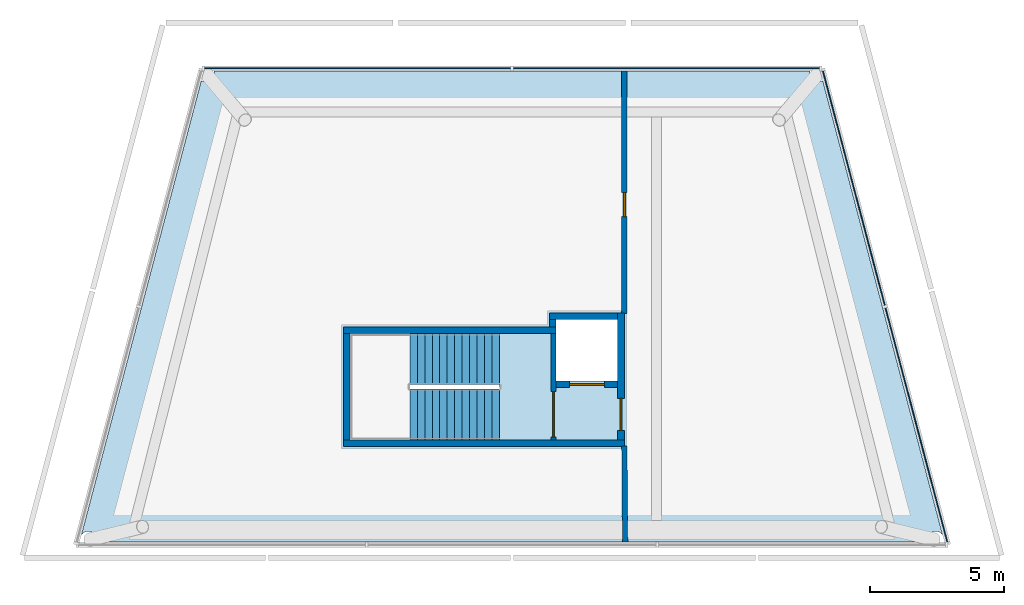
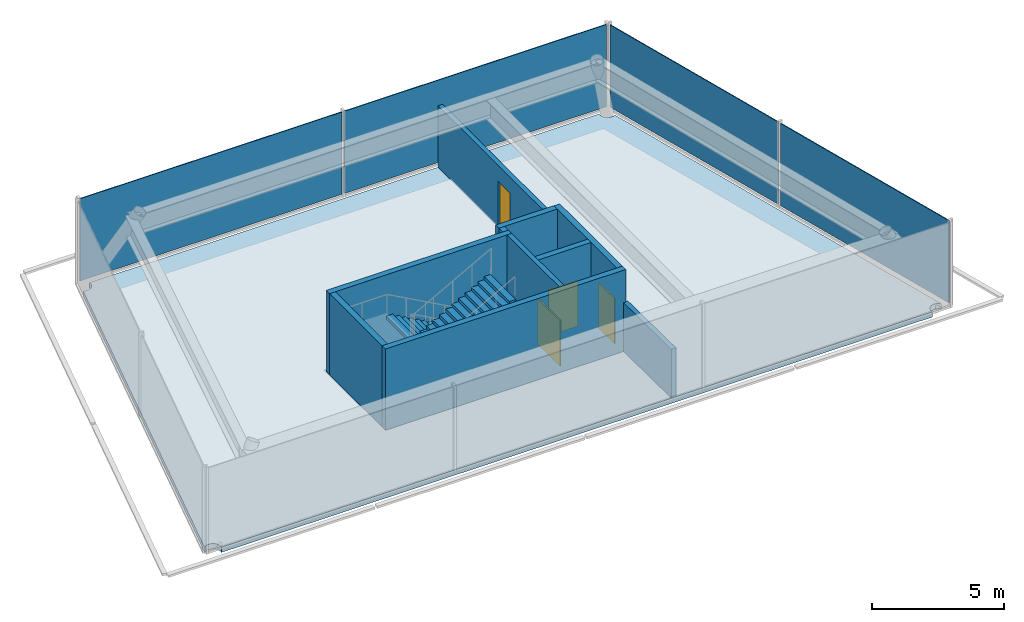
# One storey, part 2 of 3: 10 walls, 4 doors, 4 plates, 2 stair flights, 1 slab, 4 openings, 3 elements without a shape of their own.
"""IFC4 building model written with IfcOpenShell, lengths in metres."""

from ifc_helpers import new_model, si_unit, direction, frame, frame_2d, origin, origin_2d, place, context, subcontext, project, spatial, polyline, rectangle, outline, extrude, material, layer, layer_set, type_object, element, fill, aggregate, save


model = new_model("IFC4")

# Units and contexts
model_context = context("Model", 3, precision=1e-05, world=origin(), true_north=direction((0.0, 1.0)))
body_context = subcontext(model_context, "Body", "Model", "MODEL_VIEW")
ifc_project = project(units=[si_unit("LENGTHUNIT", "METRE"), si_unit("AREAUNIT", "SQUARE_METRE"), si_unit("VOLUMEUNIT", "CUBIC_METRE"), si_unit("PLANEANGLEUNIT", "RADIAN"), si_unit("MASSUNIT", "GRAM", prefix="KILO")], contexts=[model_context])

# Site, building, storey
site_placement = place(None, origin())
site = spatial("IfcSite", under=ifc_project, at=site_placement, CompositionType="ELEMENT")
building_placement = place(site_placement, origin())
building = spatial("IfcBuilding", under=site, at=building_placement, Name="Quipu Civic Tower", CompositionType="ELEMENT")
storey_placement = place(building_placement, frame((0.0, 0.0, 372.0)))
storey = spatial("IfcBuildingStorey", under=building, at=storey_placement, Name="L86", CompositionType="ELEMENT", Elevation=372.0)

# Slab
ifc_material_1 = material(Name="Concrete C40/50", Category="concrete")
ifc_layer_1 = layer(ifc_material_1, 0.25)
ifc_layer_set_1 = layer_set([ifc_layer_1], Name="Concrete C40/50")
slab_type = type_object("IfcSlabType", Name="Crown floor slab 250 C40/50", PredefinedType="FLOOR", material=ifc_layer_set_1)
slab_placement = place(storey_placement, frame((0.0, 0.0, -0.25)))
element("IfcSlab", 1, at=slab_placement, inside=storey, type_object=slab_type, Name="Crown floor slab L86", PredefinedType="FLOOR", context=body_context, shape_type="SweptSolid", body=[
    extrude(outline(polyline([(-15.52490234375, -10.02001953125), (-15.514892578125, -9.93994140625), (-15.530029296875, -9.85009765625), (-15.554931640625, -9.7900390625), (-15.610107421875, -9.715087890625), (-15.659912109375, -9.675048828125), (-15.715087890625, -9.64501953125), (-15.804931640625, -9.6201171875), (-15.89990234375, -9.625), (-15.9599609375, -9.64501953125), (-16.014892578125, -9.675048828125), (-16.06494140625, -9.715087890625), (-16.090087890625, -9.75), (-11.610107421875, 7.22509765625), (-11.570068359375, 7.199951171875), (-11.5400390625, 7.18994140625), (-11.445068359375, 7.175048828125), (-11.35498046875, 7.18994140625), (-11.27001953125, 7.22998046875), (-11.219970703125, 7.27001953125), (-11.179931640625, 7.320068359375), (-11.14990234375, 7.375), (-11.1298828125, 7.43505859375), (-11.125, 7.4951171875), (-11.1298828125, 7.56005859375), (-11.139892578125, 7.580078125), (11.139892578125, 7.580078125), (11.1298828125, 7.56005859375), (11.125, 7.4951171875), (11.1298828125, 7.43505859375), (11.14990234375, 7.375), (11.179931640625, 7.320068359375), (11.219970703125, 7.27001953125), (11.27001953125, 7.22998046875), (11.35498046875, 7.18994140625), (11.445068359375, 7.175048828125), (11.5400390625, 7.18994140625), (11.570068359375, 7.199951171875), (11.610107421875, 7.22509765625), (16.090087890625, -9.75), (16.06494140625, -9.715087890625), (16.014892578125, -9.675048828125), (15.9599609375, -9.64501953125), (15.89990234375, -9.625), (15.804931640625, -9.6201171875), (15.715087890625, -9.64501953125), (15.659912109375, -9.675048828125), (15.610107421875, -9.715087890625), (15.554931640625, -9.7900390625), (15.530029296875, -9.85009765625), (15.514892578125, -9.93994140625), (15.52490234375, -10.02001953125), (-15.52490234375, -10.02001953125)]), holes=[polyline([(-6.044921875, -2.235107421875), (-6.044921875, -6.195068359375), (-0.465087890625, -6.195068359375), (-0.465087890625, -2.235107421875), (-6.044921875, -2.235107421875)]), polyline([(3.949951171875, -1.699951171875), (1.64990234375, -1.699951171875), (1.64990234375, -4.0), (3.949951171875, -4.0), (3.949951171875, -1.699951171875)])]), origin(), (0.0, 0.0, 1.0), 0.25),
])

# Curtain wall, plates
ifc_material_2 = material(Name="Insulated glass unit", Category="glass")
curtain_wall_type_1 = type_object("IfcCurtainWallType", Name="Crown glass facets CW6", PredefinedType="NOTDEFINED", material=ifc_material_2)
curtain_wall_1_placement = place(storey_placement, origin())
curtain_wall_1 = element("IfcCurtainWall", 2, at=curtain_wall_1_placement, inside=storey, type_object=curtain_wall_type_1, Name="Crown glass facets CW6 L86 run 3", PredefinedType="NOTDEFINED")
ifc_material_3 = material(Name="Insulated glass unit", Category="glass")
ifc_layer_2 = layer(ifc_material_3, 0.0400390625)
ifc_layer_set_2 = layer_set([ifc_layer_2], Name="Insulated glass unit")
plate_type_1 = type_object("IfcPlateType", Name="Glass panel CW6", PredefinedType="CURTAIN_PANEL", material=ifc_layer_set_2)
plate_1_placement = place(storey_placement, frame((5.771484375, 7.679931640625, 0.14990234375), z_axis=(0.0, 0.0, 1.0), x_axis=(-1.0, 0.0, 0.0)))
plate_1 = element("IfcPlate", 3, at=plate_1_placement, type_object=plate_type_1, Name="CW6 panel 1.1", PredefinedType="CURTAIN_PANEL", context=body_context, shape_type="SweptSolid", body=[
    extrude(rectangle(XDim=11.443115234375, YDim=0.0400390625, at=origin_2d()), origin(), (0.0, 0.0, 1.0), 3.800048828125),
])
plate_2_placement = place(storey_placement, frame((-5.771484375, 7.679931640625, 0.14990234375), z_axis=(0.0, 0.0, 1.0), x_axis=(-1.0, 0.0, 0.0)))
plate_2 = element("IfcPlate", 4, at=plate_2_placement, type_object=plate_type_1, Name="CW6 panel 2.1", PredefinedType="CURTAIN_PANEL", context=body_context, shape_type="SweptSolid", body=[
    extrude(rectangle(XDim=11.443115234375, YDim=0.0400390625, at=origin_2d()), origin(), (0.0, 0.0, 1.0), 3.800048828125),
])
aggregate(curtain_wall_1, [plate_1, plate_2])

ifc_material_4 = material(Name="Anodised aluminium insulated panel", Category="aluminium")
curtain_wall_type_2 = type_object("IfcCurtainWallType", Name="Insulated infill wall CW6I", PredefinedType="NOTDEFINED", material=ifc_material_4)
curtain_wall_2_placement = place(storey_placement, origin())
curtain_wall_2 = element("IfcCurtainWall", 5, at=curtain_wall_2_placement, inside=storey, type_object=curtain_wall_type_2, Name="Insulated infill wall CW6I L86 run 2", PredefinedType="NOTDEFINED")
ifc_material_5 = material(Name="Anodised aluminium insulated panel", Category="aluminium")
ifc_layer_3 = layer(ifc_material_5, 0.0400390625)
ifc_layer_set_3 = layer_set([ifc_layer_3], Name="Anodised aluminium insulated panel")
plate_type_2 = type_object("IfcPlateType", Name="Insulated panel CW6I", PredefinedType="CURTAIN_PANEL", material=ifc_layer_set_3)
plate_3_placement = place(storey_placement, frame((15.112060546875, -5.645751953125, 0.14990234375), z_axis=(0.0, 0.0, 1.0), x_axis=(-0.255315630187, 0.966857760471, 0.0)))
plate_3 = element("IfcPlate", 6, at=plate_3_placement, type_object=plate_type_2, Name="CW6I panel 1.1", PredefinedType="CURTAIN_PANEL", context=body_context, shape_type="SweptSolid", body=[
    extrude(rectangle(XDim=9.05517578125, YDim=0.0400390625, at=origin_2d()), origin(), (0.0, 0.0, 1.0), 3.800048828125),
])
plate_4_placement = place(storey_placement, frame((12.774658203125, 3.205810546875, 0.14990234375), z_axis=(0.0, 0.0, 1.0), x_axis=(-0.255315630187, 0.966857760471, 0.0)))
plate_4 = element("IfcPlate", 7, at=plate_4_placement, type_object=plate_type_2, Name="CW6I panel 2.1", PredefinedType="CURTAIN_PANEL", context=body_context, shape_type="SweptSolid", body=[
    extrude(rectangle(XDim=9.05517578125, YDim=0.0400390625, at=origin_2d()), origin(), (0.0, 0.0, 1.0), 3.800048828125),
])
aggregate(curtain_wall_2, [plate_3, plate_4])

# Wall, opening, door
ifc_material_6 = material(Name="Fired clay blockwork", Category="masonry")
ifc_layer_4 = layer(ifc_material_6, 0.199951171875)
ifc_layer_set_4 = layer_set([ifc_layer_4], Name="Fired clay blockwork")
wall_type_1 = type_object("IfcWallType", Name="Blockwork wall 200", PredefinedType="SOLIDWALL", material=ifc_layer_set_4)
wall_1_placement = place(storey_placement, frame((4.199951171875, 7.580078125, 0.0), z_axis=(0.0, 0.0, 1.0), x_axis=(0.0, -1.0, 0.0)))
wall_1 = element("IfcWall", 8, at=wall_1_placement, inside=storey, type_object=wall_type_1, Name="Partition P01", PredefinedType="SOLIDWALL", context=body_context, shape_type="SweptSolid", body=[
    extrude(rectangle(XDim=9.050048828125, YDim=0.199951171875, at=frame_2d((4.52490234375, 0.0))), origin(), (0.0, 0.0, 1.0), 2.838134765625),
])
opening_1_placement = place(wall_1_placement, frame((4.5400390625, 0.0, 0.0)))
opening_1 = element("IfcOpeningElement", 9, at=opening_1_placement, cuts=wall_1, Name="Opening D001", PredefinedType="OPENING", context=body_context, shape_type="SweptSolid", body=[
    extrude(rectangle(XDim=0.89990234375, YDim=2.10009765625, at=frame_2d((0.449951171875, 1.050048828125))), frame((0.0, 0.10986328125, 0.0), z_axis=(0.0, -1.0, 0.0), x_axis=(1.0, 0.0, 0.0)), (0.0, 0.0, 1.0), 0.219970703125),
])
ifc_material_7 = material(Name="Fire rated timber door set with metal frame", Category="wood")
door_type_1 = type_object("IfcDoorType", Name="Single door 900 x 2100 FD60", OperationType="NOTDEFINED", PredefinedType="DOOR", material=ifc_material_7)
door_1_placement = place(opening_1_placement, origin())
door_1 = element("IfcDoor", 10, at=door_1_placement, inside=storey, type_object=door_type_1, Name="Door D001", OperationType="SINGLE_SWING_LEFT", OverallHeight=2.10009765625, OverallWidth=0.89990234375, PredefinedType="DOOR", context=body_context, shape_type="SweptSolid", body=[
    extrude(rectangle(XDim=0.89990234375, YDim=2.10009765625, at=frame_2d((0.449951171875, 1.050048828125))), frame((0.0, 0.02490234375, 0.0), z_axis=(0.0, -1.0, 0.0), x_axis=(1.0, 0.0, 0.0)), (0.0, 0.0, 1.0), 0.050048828125),
])
fill(opening_1, door_1)

# Wall
wall_2_placement = place(storey_placement, frame((4.199951171875, -6.429931640625, 0.0), z_axis=(0.0, 0.0, 1.0), x_axis=(0.007480239544, -0.999972022617, 0.0)))
element("IfcWall", 11, at=wall_2_placement, inside=storey, type_object=wall_type_1, Name="Partition P02", PredefinedType="SOLIDWALL", context=body_context, shape_type="SweptSolid", body=[
    extrude(rectangle(XDim=3.590087890625, YDim=0.199951171875, at=frame_2d((1.794921875, 0.0))), origin(), (0.0, 0.0, 1.0), 2.25),
])

# Wall, opening, door
ifc_material_8 = material(Name="Concrete C70/85", Category="concrete")
ifc_layer_5 = layer(ifc_material_8, 0.199951171875)
ifc_layer_set_5 = layer_set([ifc_layer_5], Name="Concrete C70/85")
wall_type_2 = type_object("IfcWallType", Name="Core wall 200", PredefinedType="SHEAR", material=ifc_layer_set_5)
wall_3_placement = place(storey_placement, frame((1.550048828125, -6.199951171875, 0.0), z_axis=(0.0, 0.0, 1.0), x_axis=(0.0, 1.0, 0.0)))
wall_3 = element("IfcWall", 12, at=wall_3_placement, inside=storey, type_object=wall_type_2, Name="Core wall", PredefinedType="SHEAR", context=body_context, shape_type="SweptSolid", body=[
    extrude(rectangle(XDim=3.969970703125, YDim=0.199951171875, at=frame_2d((1.98486328125, 0.0))), origin(), (0.0, 0.0, 1.0), 3.75),
])
opening_2_placement = place(wall_3_placement, frame((0.10009765625, 0.0, 0.0)))
opening_2 = element("IfcOpeningElement", 13, at=opening_2_placement, cuts=wall_3, Name="Opening CD-01", PredefinedType="OPENING", context=body_context, shape_type="SweptSolid", body=[
    extrude(rectangle(XDim=1.699951171875, YDim=2.10009765625, at=frame_2d((0.85009765625, 1.050048828125))), frame((0.0, 0.10986328125, 0.0), z_axis=(0.0, -1.0, 0.0), x_axis=(1.0, 0.0, 0.0)), (0.0, 0.0, 1.0), 0.219970703125),
])
ifc_material_9 = material(Name="Fire rated steel door", Category="steel")
door_type_2 = type_object("IfcDoorType", Name="Fire door FD90 double 1700 x 2100", OperationType="NOTDEFINED", PredefinedType="DOOR", material=ifc_material_9)
door_2_placement = place(opening_2_placement, origin())
door_2 = element("IfcDoor", 14, at=door_2_placement, inside=storey, type_object=door_type_2, Name="Door", OperationType="DOUBLE_DOOR_SINGLE_SWING", OverallHeight=2.10009765625, OverallWidth=1.699951171875, PredefinedType="DOOR", context=body_context, shape_type="SweptSolid", body=[
    extrude(rectangle(XDim=1.699951171875, YDim=2.10009765625, at=frame_2d((0.85009765625, 1.050048828125))), frame((0.0, 0.02490234375, 0.0), z_axis=(0.0, -1.0, 0.0), x_axis=(1.0, 0.0, 0.0)), (0.0, 0.0, 1.0), 0.050048828125),
])
fill(opening_2, door_2)

# Walls
ifc_material_10 = material(Name="Concrete C70/85", Category="concrete")
ifc_layer_6 = layer(ifc_material_10, 0.25)
ifc_layer_set_6 = layer_set([ifc_layer_6], Name="Concrete C70/85")
wall_type_3 = type_object("IfcWallType", Name="Core wall 250", PredefinedType="SHEAR", material=ifc_layer_set_6)
wall_4_placement = place(storey_placement, frame((-6.300048828125, -6.324951171875, 0.0), z_axis=(0.0, 0.0, 1.0), x_axis=(1.0, 0.0, 0.0)))
element("IfcWall", 15, at=wall_4_placement, inside=storey, type_object=wall_type_3, Name="Core wall", PredefinedType="SHEAR", context=body_context, shape_type="SweptSolid", body=[
    extrude(rectangle(XDim=10.5, YDim=0.25, at=frame_2d((5.25, 0.0))), origin(), (0.0, 0.0, 1.0), 3.75),
])
wall_5_placement = place(storey_placement, frame((-6.175048828125, -6.199951171875, 0.0), z_axis=(0.0, 0.0, 1.0), x_axis=(0.0, 1.0, 0.0)))
element("IfcWall", 16, at=wall_5_placement, inside=storey, type_object=wall_type_3, Name="Core wall", PredefinedType="SHEAR", context=body_context, shape_type="SweptSolid", body=[
    extrude(rectangle(XDim=3.969970703125, YDim=0.25, at=frame_2d((1.98486328125, 0.0))), origin(), (0.0, 0.0, 1.0), 3.75),
])

# Wall, opening, door
wall_6_placement = place(storey_placement, frame((4.074951171875, -6.199951171875, 0.0), z_axis=(0.0, 0.0, 1.0), x_axis=(0.0, 1.0, 0.0)))
wall_6 = element("IfcWall", 17, at=wall_6_placement, inside=storey, type_object=wall_type_3, Name="Core wall", PredefinedType="SHEAR", context=body_context, shape_type="SweptSolid", body=[
    extrude(rectangle(XDim=4.75, YDim=0.25, at=frame_2d((2.375, 0.0))), origin(), (0.0, 0.0, 1.0), 3.75),
])
opening_3_placement = place(wall_6_placement, frame((0.35009765625, 0.0, 0.0)))
opening_3 = element("IfcOpeningElement", 18, at=opening_3_placement, cuts=wall_6, Name="Opening CD-02", PredefinedType="OPENING", context=body_context, shape_type="SweptSolid", body=[
    extrude(rectangle(XDim=1.199951171875, YDim=2.10009765625, at=frame_2d((0.60009765625, 1.050048828125))), frame((0.0, 0.135009765625, 0.0), z_axis=(0.0, -1.0, 0.0), x_axis=(1.0, 0.0, 0.0)), (0.0, 0.0, 1.0), 0.27001953125),
])
ifc_material_11 = material(Name="Fire rated steel door", Category="steel")
door_type_3 = type_object("IfcDoorType", Name="Fire door FD90 1200 x 2100", OperationType="NOTDEFINED", PredefinedType="DOOR", material=ifc_material_11)
door_3_placement = place(opening_3_placement, origin())
door_3 = element("IfcDoor", 19, at=door_3_placement, inside=storey, type_object=door_type_3, Name="Lobby door", OperationType="SINGLE_SWING_LEFT", OverallHeight=2.10009765625, OverallWidth=1.199951171875, PredefinedType="DOOR", context=body_context, shape_type="SweptSolid", body=[
    extrude(rectangle(XDim=1.199951171875, YDim=2.10009765625, at=frame_2d((0.60009765625, 1.050048828125))), frame((0.0, 0.02490234375, 0.0), z_axis=(0.0, -1.0, 0.0), x_axis=(1.0, 0.0, 0.0)), (0.0, 0.0, 1.0), 0.050048828125),
])
fill(opening_3, door_3)

wall_7_placement = place(storey_placement, frame((1.64990234375, -4.125, 0.0), z_axis=(0.0, 0.0, 1.0), x_axis=(1.0, 0.0, 0.0)))
wall_7 = element("IfcWall", 20, at=wall_7_placement, inside=storey, type_object=wall_type_3, Name="Core wall", PredefinedType="SHEAR", context=body_context, shape_type="SweptSolid", body=[
    extrude(rectangle(XDim=2.300048828125, YDim=0.25, at=frame_2d((1.14990234375, 0.0))), origin(), (0.0, 0.0, 1.0), 3.75),
])
opening_4_placement = place(wall_7_placement, frame((0.5, 0.0, 0.0)))
opening_4 = element("IfcOpeningElement", 21, at=opening_4_placement, cuts=wall_7, Name="Opening LD-FF3", PredefinedType="OPENING", context=body_context, shape_type="SweptSolid", body=[
    extrude(rectangle(XDim=1.300048828125, YDim=2.10009765625, at=frame_2d((0.64990234375, 1.050048828125))), frame((0.0, 0.135009765625, 0.0), z_axis=(0.0, -1.0, 0.0), x_axis=(1.0, 0.0, 0.0)), (0.0, 0.0, 1.0), 0.27001953125),
])
ifc_material_12 = material(Name="Stainless steel", Category="steel")
door_type_4 = type_object("IfcDoorType", Name="Lift landing door 1300 x 2100", OperationType="DOUBLE_DOOR_SLIDING", PredefinedType="DOOR", material=ifc_material_12)
door_4_placement = place(opening_4_placement, origin())
door_4 = element("IfcDoor", 22, at=door_4_placement, inside=storey, type_object=door_type_4, Name="Landing door FF3", OperationType="DOUBLE_DOOR_SLIDING", OverallHeight=2.10009765625, OverallWidth=1.300048828125, PredefinedType="DOOR", context=body_context, shape_type="SweptSolid", body=[
    extrude(rectangle(XDim=1.300048828125, YDim=2.10009765625, at=frame_2d((0.64990234375, 1.050048828125))), frame((0.0, 0.02490234375, 0.0), z_axis=(0.0, -1.0, 0.0), x_axis=(1.0, 0.0, 0.0)), (0.0, 0.0, 1.0), 0.050048828125),
])
fill(opening_4, door_4)

# Walls
wall_8_placement = place(storey_placement, frame((-6.300048828125, -2.10498046875, 0.0), z_axis=(0.0, 0.0, 1.0), x_axis=(1.0, 0.0, 0.0)))
element("IfcWall", 23, at=wall_8_placement, inside=storey, type_object=wall_type_3, Name="Core wall", PredefinedType="SHEAR", context=body_context, shape_type="SweptSolid", body=[
    extrude(rectangle(XDim=7.949951171875, YDim=0.25, at=frame_2d((3.97509765625, 0.0))), origin(), (0.0, 0.0, 1.0), 3.75),
])
wall_9_placement = place(storey_placement, frame((1.52490234375, -1.97998046875, 0.0), z_axis=(0.0, 0.0, 1.0), x_axis=(0.0, 1.0, 0.0)))
element("IfcWall", 24, at=wall_9_placement, inside=storey, type_object=wall_type_3, Name="Core wall", PredefinedType="SHEAR", context=body_context, shape_type="SweptSolid", body=[
    extrude(rectangle(XDim=0.280029296875, YDim=0.25, at=frame_2d((0.14013671875, 0.0))), origin(), (0.0, 0.0, 1.0), 3.75),
])
wall_10_placement = place(storey_placement, frame((1.39990234375, -1.574951171875, 0.0), z_axis=(0.0, 0.0, 1.0), x_axis=(1.0, 0.0, 0.0)))
element("IfcWall", 25, at=wall_10_placement, inside=storey, type_object=wall_type_3, Name="Core wall", PredefinedType="SHEAR", context=body_context, shape_type="SweptSolid", body=[
    extrude(rectangle(XDim=2.550048828125, YDim=0.25, at=frame_2d((1.27490234375, 0.0))), origin(), (0.0, 0.0, 1.0), 3.75),
])

# Stair, stair flights
ifc_material_13 = material(Name="Concrete C40/50", Category="concrete")
stair_type = type_object("IfcStairType", Name="Half turn stair 1910", PredefinedType="HALF_TURN_STAIR", material=ifc_material_13)
stair_placement = place(storey_placement, origin())
stair = element("IfcStair", 26, at=stair_placement, inside=storey, type_object=stair_type, Name="Crown access stair", PredefinedType="HALF_TURN_STAIR")
ifc_material_14 = material(Name="Concrete C40/50", Category="concrete")
stair_flight_type = type_object("IfcStairFlightType", Name="Stair flight 1910", PredefinedType="STRAIGHT", material=ifc_material_14)
stair_flight_1_placement = place(storey_placement, frame((-0.4599609375, -3.18505859375, 0.0), z_axis=(0.0, 0.0, 1.0), x_axis=(-1.0, 0.0, 0.0)))
stair_flight_1 = element("IfcStairFlight", 27, at=stair_flight_1_placement, type_object=stair_flight_type, Name="ST-5 flight 1", NumberOfRisers=13, NumberOfTreads=12, PredefinedType="STRAIGHT", RiserHeight=0.153846154, TreadLength=0.28, context=body_context, shape_type="SweptSolid", body=[
    extrude(outline(polyline([(0.0, 0.0), (0.0, 0.15380859375), (0.280029296875, 0.15380859375), (0.280029296875, 0.3076171875), (0.56005859375, 0.3076171875), (0.56005859375, 0.46142578125), (0.840087890625, 0.46142578125), (0.840087890625, 0.615478515625), (1.1201171875, 0.615478515625), (1.1201171875, 0.769287109375), (1.39990234375, 0.769287109375), (1.39990234375, 0.923095703125), (1.679931640625, 0.923095703125), (1.679931640625, 1.076904296875), (1.9599609375, 1.076904296875), (1.9599609375, 1.230712890625), (2.239990234375, 1.230712890625), (2.239990234375, 1.384521484375), (2.52001953125, 1.384521484375), (2.52001953125, 1.53857421875), (2.800048828125, 1.53857421875), (2.800048828125, 1.6923828125), (3.080078125, 1.6923828125), (3.080078125, 1.84619140625), (3.360107421875, 1.84619140625), (3.360107421875, 2.0), (3.360107421875, 1.708984375), (0.24951171875, 0.0), (0.0, 0.0)])), frame((0.0, 0.955078125, 0.0), z_axis=(0.0, -1.0, 0.0), x_axis=(1.0, 0.0, 0.0)), (0.0, 0.0, 1.0), 1.909912109375),
])
stair_flight_2_placement = place(storey_placement, frame((-3.820068359375, -5.2451171875, 2.0), z_axis=(0.0, 0.0, 1.0), x_axis=(1.0, 0.0, 0.0)))
stair_flight_2 = element("IfcStairFlight", 28, at=stair_flight_2_placement, type_object=stair_flight_type, Name="ST-5 flight 2", NumberOfRisers=13, NumberOfTreads=12, PredefinedType="STRAIGHT", RiserHeight=0.153846154, TreadLength=0.28, context=body_context, shape_type="SweptSolid", body=[
    extrude(outline(polyline([(0.0, 0.0), (0.0, 0.15380859375), (0.280029296875, 0.15380859375), (0.280029296875, 0.3076171875), (0.56005859375, 0.3076171875), (0.56005859375, 0.46142578125), (0.840087890625, 0.46142578125), (0.840087890625, 0.615478515625), (1.1201171875, 0.615478515625), (1.1201171875, 0.769287109375), (1.39990234375, 0.769287109375), (1.39990234375, 0.923095703125), (1.679931640625, 0.923095703125), (1.679931640625, 1.076904296875), (1.9599609375, 1.076904296875), (1.9599609375, 1.230712890625), (2.239990234375, 1.230712890625), (2.239990234375, 1.384521484375), (2.52001953125, 1.384521484375), (2.52001953125, 1.53857421875), (2.800048828125, 1.53857421875), (2.800048828125, 1.6923828125), (3.080078125, 1.6923828125), (3.080078125, 1.84619140625), (3.360107421875, 1.84619140625), (3.360107421875, 2.0), (3.360107421875, 1.708984375), (0.24951171875, 0.0), (0.0, 0.0)])), frame((0.0, 0.955078125, 0.0), z_axis=(0.0, -1.0, 0.0), x_axis=(1.0, 0.0, 0.0)), (0.0, 0.0, 1.0), 1.909912109375),
])
aggregate(stair, [stair_flight_1, stair_flight_2])

save(model, "model.ifc")
